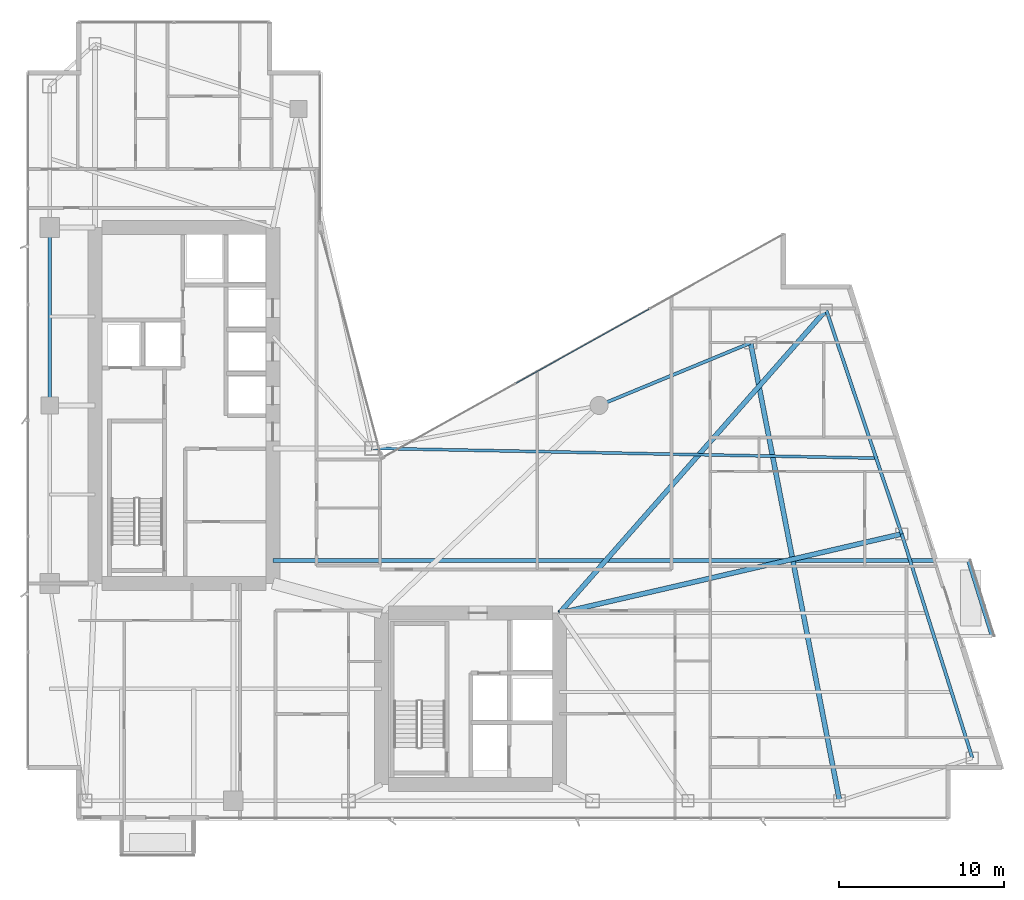
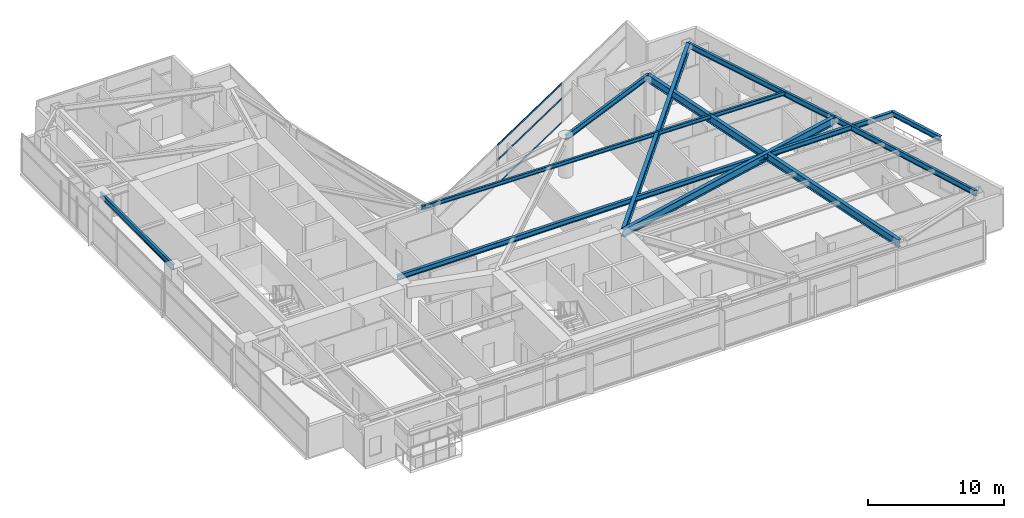
# One storey, part 15 of 28: 10 beams, 3 members, 1 element without a shape of its own.
"""IFC4 building model written with IfcOpenShell, lengths in metres."""

from ifc_helpers import new_model, si_unit, direction, frame, origin, origin_2d, place, context, subcontext, project, spatial, hollow_rectangle, i_section, extrude, material, layer, layer_set, material_profile, profile_set, type_object, element, aggregate, save


model = new_model("IFC4")

# Units and contexts
model_context = context("Model", 3, precision=1e-05, world=origin(), true_north=direction((0.0, 1.0)))
body_context = subcontext(model_context, "Body", "Model", "MODEL_VIEW")
ifc_project = project(units=[si_unit("LENGTHUNIT", "METRE"), si_unit("AREAUNIT", "SQUARE_METRE"), si_unit("VOLUMEUNIT", "CUBIC_METRE"), si_unit("PLANEANGLEUNIT", "RADIAN"), si_unit("MASSUNIT", "GRAM", prefix="KILO")], contexts=[model_context])

# Site, building, storey
site_placement = place(None, origin())
site = spatial("IfcSite", under=ifc_project, at=site_placement, CompositionType="ELEMENT")
building_placement = place(site_placement, origin())
building = spatial("IfcBuilding", under=site, at=building_placement, Name="Calvorn Quay Hotel", CompositionType="ELEMENT")
storey_placement = place(building_placement, frame((0.0, 0.0, 127.800048828125)))
storey = spatial("IfcBuildingStorey", under=building, at=storey_placement, Name="L31", CompositionType="ELEMENT", Elevation=127.800048828125)

# Beams
ifc_material_1 = material(Name="Steel Q355B", Category="steel")
ifc_material_profile_1 = material_profile(ifc_material_1, i_section(OverallWidth=0.25, OverallDepth=0.449951171875, WebThickness=0.011962890625, FlangeThickness=0.01611328125, FilletRadius=0.01611328125, at=origin_2d()), Name="HN450x250x12x16")
ifc_profile_set_1 = profile_set([ifc_material_profile_1], Name="Steel Q355B")
beam_type_1 = type_object("IfcBeamType", Name="BM-CANT-BALC", PredefinedType="BEAM", material=ifc_profile_set_1)
beam_1_placement = place(storey_placement, frame((15.0, 18.199951171875, 3.31494140625), z_axis=(1.0, 0.0, 0.0), x_axis=(0.0, 1.0, 0.0)))
element("IfcBeam", 1, at=beam_1_placement, inside=storey, type_object=beam_type_1, Name="Cantilever Balcony Beam BCB-L32-1B", PredefinedType="BEAM", context=body_context, shape_type="SweptSolid", body=[
    extrude(i_section(OverallWidth=0.25, OverallDepth=0.449951171875, WebThickness=0.011962890625, FlangeThickness=0.01611328125, FilletRadius=0.01611328125, at=origin_2d()), origin(), (0.0, 0.0, 1.0), 42.219970703125),
])
beam_2_placement = place(storey_placement, frame((58.6689453125, 13.60009765625, 3.31494140625), z_axis=(-0.300450487966, 0.953797412599, 0.0), x_axis=(-0.953797412599, -0.300450487966, 0.0)))
element("IfcBeam", 2, at=beam_2_placement, inside=storey, type_object=beam_type_1, Name="Beam BCBO-L32-1", PredefinedType="BEAM", context=body_context, shape_type="SweptSolid", body=[
    extrude(i_section(OverallWidth=0.25, OverallDepth=0.449951171875, WebThickness=0.011962890625, FlangeThickness=0.01611328125, FilletRadius=0.01611328125, at=origin_2d()), origin(), (0.0, 0.0, 1.0), 4.82275390625),
])
ifc_material_2 = material(Name="Steel Q390GJC", Category="steel")
ifc_material_profile_2 = material_profile(ifc_material_2, i_section(OverallWidth=0.300048828125, OverallDepth=0.699951171875, WebThickness=0.012939453125, FlangeThickness=0.02392578125, FilletRadius=0.02392578125, at=origin_2d()), Name="HN700x300x13x24")
ifc_profile_set_2 = profile_set([ifc_material_profile_2], Name="Steel Q390GJC")
beam_type_2 = type_object("IfcBeamType", Name="BM-GIRD-MAIN", PredefinedType="BEAM", material=ifc_profile_set_2)
beam_3_placement = place(storey_placement, frame((32.39990234375, 15.0, 3.18994140625), z_axis=(0.974334045812, 0.225107012711, 0.0), x_axis=(-0.225107012711, 0.974334045812, 0.0)))
element("IfcBeam", 3, at=beam_3_placement, inside=storey, type_object=beam_type_2, Name="Beam BG-L31-E2", PredefinedType="BEAM", context=body_context, shape_type="SweptSolid", body=[
    extrude(i_section(OverallWidth=0.300048828125, OverallDepth=0.699951171875, WebThickness=0.012939453125, FlangeThickness=0.02392578125, FilletRadius=0.02392578125, at=origin_2d()), origin(), (0.0, 0.0, 1.0), 21.323486328125),
])
beam_4_placement = place(storey_placement, frame((32.39990234375, 15.0, 3.18994140625), z_axis=(0.660610604248, 0.750728732336, 0.0), x_axis=(-0.750728732336, 0.660610604248, 0.0)))
element("IfcBeam", 4, at=beam_4_placement, inside=storey, type_object=beam_type_2, Name="Beam BG-L31-E3", PredefinedType="BEAM", context=body_context, shape_type="SweptSolid", body=[
    extrude(i_section(OverallWidth=0.300048828125, OverallDepth=0.699951171875, WebThickness=0.012939453125, FlangeThickness=0.02392578125, FilletRadius=0.02392578125, at=origin_2d()), origin(), (0.0, 0.0, 1.0), 24.50927734375),
])
beam_5_placement = place(storey_placement, frame((49.39990234375, 3.60009765625, 3.18994140625), z_axis=(-0.190678596862, 0.981652521363, 0.0), x_axis=(-0.981652521363, -0.190678596862, 0.0)))
element("IfcBeam", 5, at=beam_5_placement, inside=storey, type_object=beam_type_2, Name="Beam BG-L31-E5", PredefinedType="BEAM", context=body_context, shape_type="SweptSolid", body=[
    extrude(i_section(OverallWidth=0.300048828125, OverallDepth=0.699951171875, WebThickness=0.012939453125, FlangeThickness=0.02392578125, FilletRadius=0.02392578125, at=origin_2d()), origin(), (0.0, 0.0, 1.0), 28.3193359375),
])
ifc_material_3 = material(Name="Steel Q355B", Category="steel")
ifc_material_profile_3 = material_profile(ifc_material_3, i_section(OverallWidth=0.175048828125, OverallDepth=0.35009765625, WebThickness=0.007080078125, FlangeThickness=0.010986328125, FilletRadius=0.013916015625, at=origin_2d()), Name="HN350x175x7x11")
ifc_profile_set_3 = profile_set([ifc_material_profile_3], Name="Steel Q355B")
beam_type_3 = type_object("IfcBeamType", Name="BM-JOIST-SEC", PredefinedType="JOIST", material=ifc_profile_set_3)
beam_6_placement = place(storey_placement, frame((21.0, 25.0, 3.364990234375), z_axis=(0.999809345134, -0.019526222968, 0.0), x_axis=(0.019526222968, 0.999809345134, 0.0)))
element("IfcBeam", 6, at=beam_6_placement, inside=storey, type_object=beam_type_3, Name="Beam BJ-L31-E3", PredefinedType="JOIST", context=body_context, shape_type="SweptSolid", body=[
    extrude(i_section(OverallWidth=0.175048828125, OverallDepth=0.35009765625, WebThickness=0.007080078125, FlangeThickness=0.010986328125, FilletRadius=0.013916015625, at=origin_2d()), origin(), (0.0, 0.0, 1.0), 30.73291015625),
])
ifc_material_4 = material(Name="Steel Q355B", Category="steel")
ifc_material_profile_4 = material_profile(ifc_material_4, i_section(OverallWidth=0.199951171875, OverallDepth=0.5, WebThickness=0.010009765625, FlangeThickness=0.01611328125, FilletRadius=0.01611328125, at=origin_2d()), Name="HN500x200x10x16")
ifc_profile_set_4 = profile_set([ifc_material_profile_4], Name="Steel Q355B")
beam_type_4 = type_object("IfcBeamType", Name="BM-SPANDREL-Z1", PredefinedType="SPANDREL", material=ifc_profile_set_4)
beam_7_placement = place(storey_placement, frame((1.449951171875, 27.60009765625, 3.2900390625), z_axis=(0.0, 1.0, 0.0), x_axis=(-1.0, 0.0, 0.0)))
element("IfcBeam", 7, at=beam_7_placement, inside=storey, type_object=beam_type_4, Name="Beam BSP-L31-W3", PredefinedType="SPANDREL", context=body_context, shape_type="SweptSolid", body=[
    extrude(i_section(OverallWidth=0.199951171875, OverallDepth=0.5, WebThickness=0.010009765625, FlangeThickness=0.01611328125, FilletRadius=0.01611328125, at=origin_2d()), origin(), (0.0, 0.0, 1.0), 10.7998046875),
])
beam_8_placement = place(storey_placement, frame((57.4609375, 6.199951171875, 3.2900390625), z_axis=(-0.300502802767, 0.953780931624, 0.0), x_axis=(-0.953780931624, -0.300502802767, 0.0)))
element("IfcBeam", 8, at=beam_8_placement, inside=storey, type_object=beam_type_4, Name="Beam BSP-L31-E1", PredefinedType="SPANDREL", context=body_context, shape_type="SweptSolid", body=[
    extrude(i_section(OverallWidth=0.199951171875, OverallDepth=0.5, WebThickness=0.010009765625, FlangeThickness=0.01611328125, FilletRadius=0.01611328125, at=origin_2d()), origin(), (0.0, 0.0, 1.0), 14.259033203125),
])
beam_9_placement = place(storey_placement, frame((53.176025390625, 19.800048828125, 3.2900390625), z_axis=(-0.319466515944, 0.947597564998, 0.0), x_axis=(-0.947597564998, -0.319466515944, 0.0)))
element("IfcBeam", 9, at=beam_9_placement, inside=storey, type_object=beam_type_4, Name="Beam BSP-L31-E2", PredefinedType="SPANDREL", context=body_context, shape_type="SweptSolid", body=[
    extrude(i_section(OverallWidth=0.199951171875, OverallDepth=0.5, WebThickness=0.010009765625, FlangeThickness=0.01611328125, FilletRadius=0.01611328125, at=origin_2d()), origin(), (0.0, 0.0, 1.0), 14.35205078125),
])
beam_10_placement = place(storey_placement, frame((44.0, 31.39990234375, 3.2900390625), z_axis=(-0.92426763497, -0.381745123017, 0.0), x_axis=(0.381745123017, -0.92426763497, 0.0)))
element("IfcBeam", 10, at=beam_10_placement, inside=storey, type_object=beam_type_4, Name="Beam BSP-L31-E4", PredefinedType="SPANDREL", context=body_context, shape_type="SweptSolid", body=[
    extrude(i_section(OverallWidth=0.199951171875, OverallDepth=0.5, WebThickness=0.010009765625, FlangeThickness=0.01611328125, FilletRadius=0.01611328125, at=origin_2d()), origin(), (0.0, 0.0, 1.0), 9.953857421875),
])

# Curtain wall, members
ifc_material_5 = material(Name="Pale Anodised Aluminium and Low-E Glass", Category="aluminium")
ifc_layer = layer(ifc_material_5, 0.219970703125)
ifc_layer_set = layer_set([ifc_layer], Name="CW-SYS-Z2")
curtain_wall_type = type_object("IfcCurtainWallType", Name="CW-SYS-Z2", PredefinedType="NOTDEFINED", material=ifc_layer_set)
curtain_wall_placement = place(storey_placement, origin())
curtain_wall = element("IfcCurtainWall", 11, at=curtain_wall_placement, inside=storey, type_object=curtain_wall_type, Name="Inner Court Curtain Wall L31-NE1", PredefinedType="NOTDEFINED")
ifc_material_6 = material(Name="Pale Anodised Aluminium 6063-T6", Category="aluminium")
ifc_material_profile_5 = material_profile(ifc_material_6, hollow_rectangle(XDim=0.06005859375, YDim=0.14990234375, WallThickness=0.00341796875, at=origin_2d()), Name="ALU-T150x60x3.5")
ifc_profile_set_5 = profile_set([ifc_material_profile_5], Name="Pale Anodised Aluminium 6063-T6")
member_type = type_object("IfcMemberType", Name="CW-SYS-Z2-TRN", PredefinedType="USERDEFINED", material=ifc_profile_set_5)
member_1_placement = place(storey_placement, frame((37.840576171875, 33.4521484375, 0.030029296875), z_axis=(-0.873483012802, -0.486854625474, 0.0), x_axis=(0.486854625474, -0.873483012802, 0.0)))
member_1 = element("IfcMember", 12, at=member_1_placement, type_object=member_type, Name="CW-L31-NE1 transom 2.1", ObjectType="TRANSOM", PredefinedType="USERDEFINED", context=body_context, shape_type="SweptSolid", body=[
    extrude(hollow_rectangle(XDim=0.06005859375, YDim=0.14990234375, WallThickness=0.00341796875, at=origin_2d()), origin(), (0.0, 0.0, 1.0), 9.25146484375),
])
member_2_placement = place(storey_placement, frame((37.840576171875, 33.4521484375, 2.199951171875), z_axis=(-0.873483012802, -0.486854625474, 0.0), x_axis=(0.486854625474, -0.873483012802, 0.0)))
member_2 = element("IfcMember", 13, at=member_2_placement, type_object=member_type, Name="CW-L31-NE1 transom 2.2", ObjectType="TRANSOM", PredefinedType="USERDEFINED", context=body_context, shape_type="SweptSolid", body=[
    extrude(hollow_rectangle(XDim=0.06005859375, YDim=0.14990234375, WallThickness=0.00341796875, at=origin_2d()), origin(), (0.0, 0.0, 1.0), 9.25146484375),
])
member_3_placement = place(storey_placement, frame((37.840576171875, 33.4521484375, 3.530029296875), z_axis=(-0.873483012802, -0.486854625474, 0.0), x_axis=(0.486854625474, -0.873483012802, 0.0)))
member_3 = element("IfcMember", 14, at=member_3_placement, type_object=member_type, Name="CW-L31-NE1 transom 2.3", ObjectType="TRANSOM", PredefinedType="USERDEFINED", context=body_context, shape_type="SweptSolid", body=[
    extrude(hollow_rectangle(XDim=0.06005859375, YDim=0.14990234375, WallThickness=0.00341796875, at=origin_2d()), origin(), (0.0, 0.0, 1.0), 9.25146484375),
])
aggregate(curtain_wall, [member_1, member_2, member_3])

save(model, "model.ifc")
